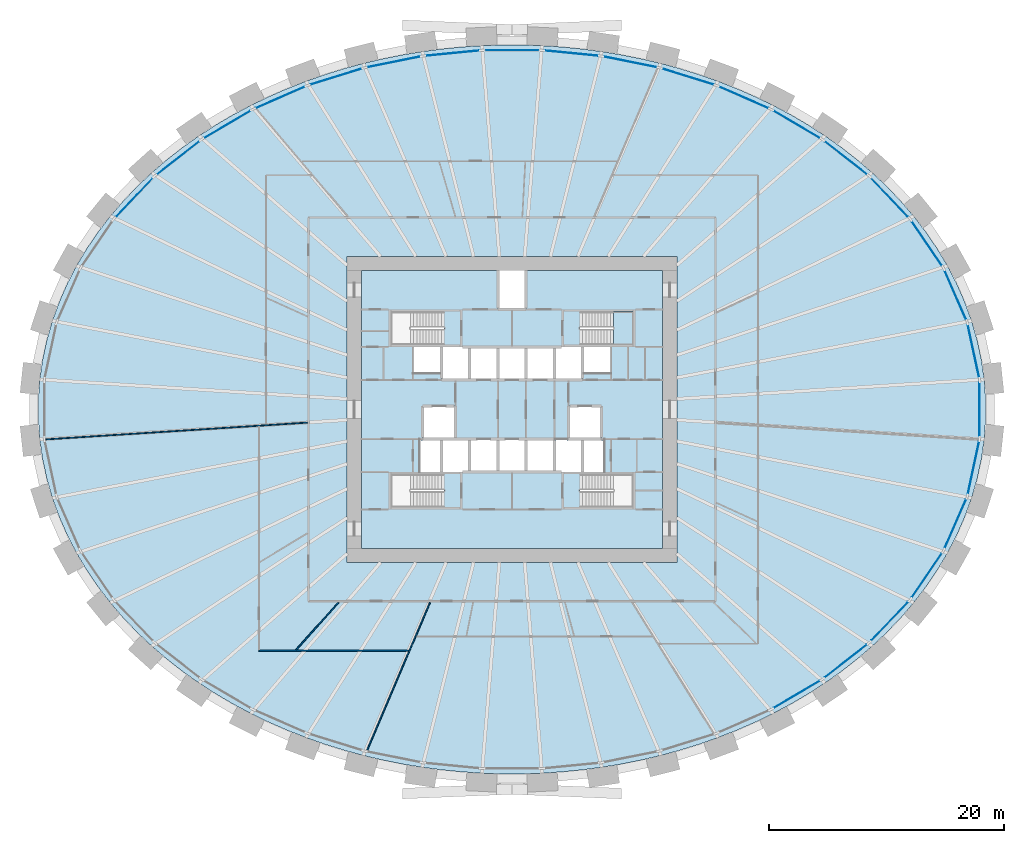
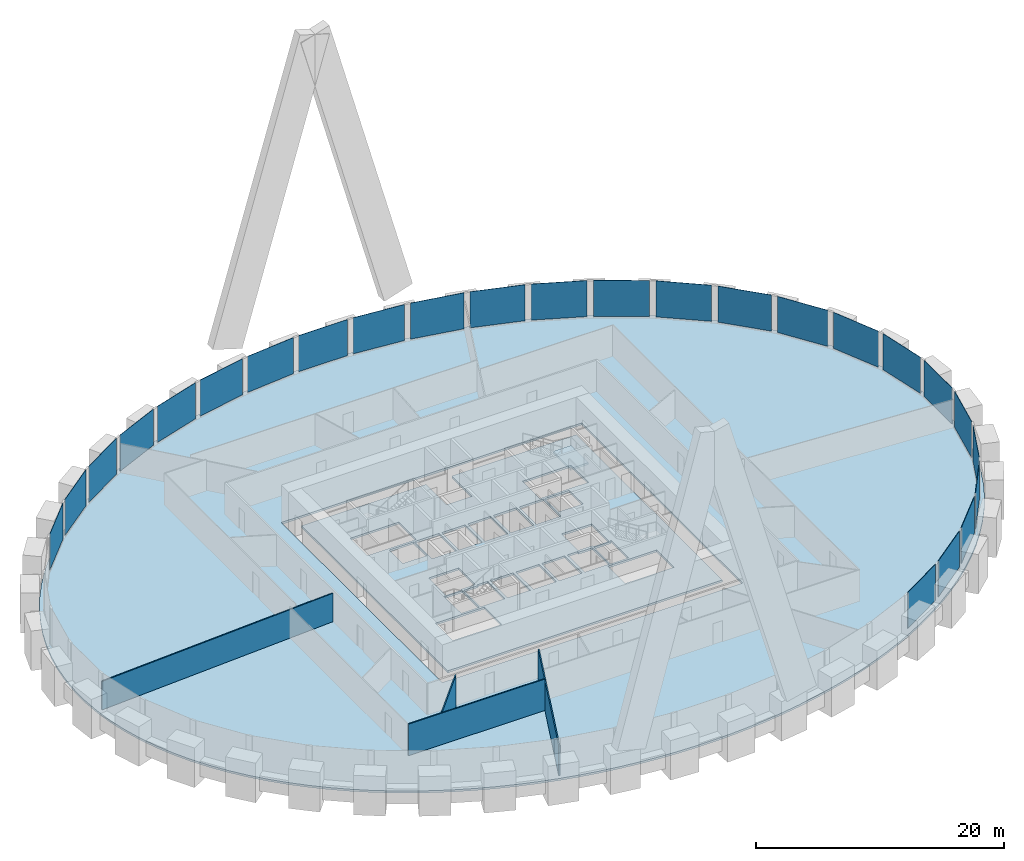
# One storey, part 5 of 10: 25 plates, 4 walls, 3 slabs, 2 elements without a shape of their own.
"""IFC4 building model written with IfcOpenShell, lengths in metres."""

import ifcopenshell
import ifcopenshell.guid

model = None  # the IFC model being written
_history = None  # IfcOwnerHistory: only IFC2X3 demands one
_inside = {}  # id of a spatial element -> (the spatial element, [elements in it])
_under = {}  # id of a project, library or spatial element -> (it, [spatial elements below it])
_declared = {}  # id of a project -> (the project, [libraries it declares])
_typed = {}  # id of a type object -> (the type object, [elements of that type])
_made_of = {}  # id of a material, layer set ... -> (it, [elements and type objects made of it])


def new_model(schema):
    """Start an empty IFC model of exactly this schema.

    Asked for "IFC4X3", IfcOpenShell would pick the latest addendum, in which some entities
    have other attributes; the version numbers below select the first issue.
    IFC2X3 requires an IfcOwnerHistory on every rooted entity: one is made here for all.
    """
    global model, _history
    if schema == "IFC4X3":
        model = ifcopenshell.file(schema_version=(4, 3, 0, 0))
    else:
        model = ifcopenshell.file(schema=schema)
    _inside.clear()
    _under.clear()
    _declared.clear()
    _typed.clear()
    _made_of.clear()
    _history = None
    if model.schema == "IFC2X3":
        org = make("IfcOrganization", Name="unknown")
        user = make(
            "IfcPersonAndOrganization",
            ThePerson=make("IfcPerson", FamilyName="unknown"),
            TheOrganization=org,
        )
        app = make(
            "IfcApplication",
            ApplicationDeveloper=org,
            Version="unknown",
            ApplicationFullName="unknown",
            ApplicationIdentifier="unknown",
        )
        _history = make(
            "IfcOwnerHistory",
            OwningUser=user,
            OwningApplication=app,
            ChangeAction="ADDED",
            CreationDate=0,
        )
    return model


def make(cls, **values):
    """One entity of the class cls with the attributes given. An attribute that is None is left unset."""
    return model.create_entity(
        cls, **{name: value for name, value in values.items() if value is not None}
    )


def rooted(cls, **values):
    """An entity with a GlobalId (a new one), such as an element, a storey or a relation."""
    return make(cls, GlobalId=ifcopenshell.guid.new(), OwnerHistory=_history, **values)


def si_unit(unit_type, name, prefix=None):
    """IfcSIUnit, for example si_unit("LENGTHUNIT", "METRE", prefix="MILLI")."""
    return make("IfcSIUnit", UnitType=unit_type, Prefix=prefix, Name=name)


def assignment(units):
    """IfcUnitAssignment: the units of a project."""
    return None if units is None else make("IfcUnitAssignment", Units=units)


def point(xyz):
    """IfcCartesianPoint."""
    return None if xyz is None else make("IfcCartesianPoint", Coordinates=xyz)


def direction(xyz):
    """IfcDirection."""
    return None if xyz is None else make("IfcDirection", DirectionRatios=xyz)


def frame(location, z_axis=None, x_axis=None):
    """IfcAxis2Placement3D, a coordinate frame: its origin and axes. An axis left out is left unset."""
    return make(
        "IfcAxis2Placement3D",
        Location=point(location),
        Axis=direction(z_axis),
        RefDirection=direction(x_axis),
    )


def frame_2d(location, x_axis=None):
    """IfcAxis2Placement2D, a coordinate frame in the plane: its origin and x axis."""
    return make(
        "IfcAxis2Placement2D", Location=point(location), RefDirection=direction(x_axis)
    )


def origin():
    """The frame at (0, 0, 0) with its axes left unset."""
    return frame((0.0, 0.0, 0.0))


def origin_2d():
    """The frame at (0, 0) in the plane with its x axis left unset."""
    return frame_2d((0.0, 0.0))


def place(relative_to, where):
    """IfcLocalPlacement: puts the frame where relative to a parent placement (None: the world)."""
    return make(
        "IfcLocalPlacement", PlacementRelTo=relative_to, RelativePlacement=where
    )


def context(
    kind, dimensions, precision=None, world=None, true_north=None, identifier=None
):
    """IfcGeometricRepresentationContext, for example the 3D "Model" context."""
    return make(
        "IfcGeometricRepresentationContext",
        ContextIdentifier=identifier,
        ContextType=kind,
        CoordinateSpaceDimension=dimensions,
        Precision=precision,
        WorldCoordinateSystem=world,
        TrueNorth=true_north,
    )


def subcontext(parent, identifier, kind, view, scale=None):
    """IfcGeometricRepresentationSubContext, for example "Body" below "Model"."""
    return make(
        "IfcGeometricRepresentationSubContext",
        ContextIdentifier=identifier,
        ContextType=kind,
        ParentContext=parent,
        TargetScale=scale,
        TargetView=view,
    )


def project(units=None, contexts=None):
    """IfcProject with its units and contexts."""
    return rooted(
        "IfcProject",
        Name="project",
        RepresentationContexts=contexts,
        UnitsInContext=assignment(units),
    )


def spatial(cls, under=None, at=None, **own):
    """A site, building, storey or space (cls), placed at a placement, below another one or the project."""
    s = rooted(cls, ObjectPlacement=at, **own)
    if under is not None:
        _under.setdefault(under.id(), (under, []))[1].append(s)
    return s


def polyline(points):
    """IfcPolyline through the points."""
    return make("IfcPolyline", Points=[point(p) for p in points])


def profile(cls, at=None, kind="AREA", **sizes):
    """A parametric profile (cls). Its sizes go by their IFC names, for example OverallWidth=200.0."""
    return make(cls, ProfileType=kind, Position=at, **sizes)


def rectangle(**sizes):
    """IfcRectangleProfileDef."""
    return profile("IfcRectangleProfileDef", **sizes)


def outline(outer, holes=None, kind="AREA"):
    """IfcArbitraryClosedProfileDef: a profile drawn as a closed curve; with holes, ...WithVoids."""
    if holes is None:
        return make("IfcArbitraryClosedProfileDef", ProfileType=kind, OuterCurve=outer)
    return make(
        "IfcArbitraryProfileDefWithVoids",
        ProfileType=kind,
        OuterCurve=outer,
        InnerCurves=holes,
    )


def extrude(swept, where, along, depth):
    """IfcExtrudedAreaSolid: the profile swept, set in the frame where, extruded along a direction by depth."""
    return make(
        "IfcExtrudedAreaSolid",
        SweptArea=swept,
        Position=where,
        ExtrudedDirection=direction(along),
        Depth=depth,
    )


def shape(context_of_items, identifier, shape_type, items):
    """IfcShapeRepresentation: the items that make up one representation, for example the "Body"."""
    return make(
        "IfcShapeRepresentation",
        ContextOfItems=context_of_items,
        RepresentationIdentifier=identifier,
        RepresentationType=shape_type,
        Items=items,
    )


def source(mapping_origin, context_of_items, identifier, shape_type, items):
    """IfcRepresentationMap: a shape defined once, which mapped items show again and again."""
    return make(
        "IfcRepresentationMap",
        MappingOrigin=mapping_origin,
        MappedRepresentation=shape(context_of_items, identifier, shape_type, items),
    )


def transform(
    local_origin,
    x_axis=None,
    y_axis=None,
    z_axis=None,
    scale=None,
    scale2=None,
    scale3=None,
    uniform=True,
):
    """IfcCartesianTransformationOperator3D, or its non-uniform kind. x_axis, y_axis, z_axis: its Axis1, 2, 3."""
    if uniform:
        return make(
            "IfcCartesianTransformationOperator3D",
            Axis1=direction(x_axis),
            Axis2=direction(y_axis),
            LocalOrigin=point(local_origin),
            Scale=scale,
            Axis3=direction(z_axis),
        )
    return make(
        "IfcCartesianTransformationOperator3DnonUniform",
        Axis1=direction(x_axis),
        Axis2=direction(y_axis),
        LocalOrigin=point(local_origin),
        Scale=scale,
        Axis3=direction(z_axis),
        Scale2=scale2,
        Scale3=scale3,
    )


def mapped(mapping_source, mapping_target):
    """IfcMappedItem: shows the shape of a source again, moved by a transform."""
    return make(
        "IfcMappedItem", MappingSource=mapping_source, MappingTarget=mapping_target
    )


def material(Name=None, Category=None):
    """IfcMaterial."""
    return make("IfcMaterial", Name=Name, Category=Category)


def layer(
    of_material, thickness, ventilated=None, Name=None, Category=None, Priority=None
):
    """IfcMaterialLayer: one layer of a wall or slab, of a material (None: an air gap)."""
    return make(
        "IfcMaterialLayer",
        Material=of_material,
        LayerThickness=thickness,
        IsVentilated=ventilated,
        Name=Name,
        Category=Category,
        Priority=Priority,
    )


def layer_set(layers, Name=None):
    """IfcMaterialLayerSet."""
    return make("IfcMaterialLayerSet", MaterialLayers=layers, LayerSetName=Name)


def made_of(thing, what):
    """Note that an element or type object is made of a material, layer set ...; save() writes the relation."""
    if what is not None:
        _made_of.setdefault(what.id(), (what, []))[1].append(thing)
    return thing


def type_object(cls, material=None, **own):
    """A type object (cls), such as IfcWallType, which elements share."""
    return made_of(rooted(cls, **own), material)


def element(
    cls,
    number,
    at=None,
    inside=None,
    cuts=None,
    type_object=None,
    material=None,
    context=None,
    identifier="Body",
    shape_type=None,
    held_by="IfcProductDefinitionShape",
    body=None,
    shapes=None,
    **own,
):
    """One element of the class cls, such as IfcWall. Its Tag is "e" and its number.

    at: its placement. inside: the storey or other place that contains it. cuts: it is an
    opening in that element (IfcRelVoidsElement). A single representation is given by context,
    identifier, shape_type and body (its items); several are given by shapes. held_by: the class
    of the entity that holds the representations. save() writes the other relations.
    """
    e = rooted(cls, Tag="e%d" % number, ObjectPlacement=at, **own)
    if body is not None:
        shapes = [shape(context, identifier, shape_type, body)]
    if shapes is not None:
        e.Representation = make(held_by, Representations=shapes)
    if inside is not None:
        _inside.setdefault(inside.id(), (inside, []))[1].append(e)
    if cuts is not None:
        rooted(
            "IfcRelVoidsElement", RelatingBuildingElement=cuts, RelatedOpeningElement=e
        )
    if type_object is not None:
        _typed.setdefault(type_object.id(), (type_object, []))[1].append(e)
    return made_of(e, material)


def aggregate(whole, parts):
    """IfcRelAggregates: a whole, such as a stair, and the parts it consists of."""
    return rooted("IfcRelAggregates", RelatingObject=whole, RelatedObjects=parts)


def save(model, path):
    """Write the relations noted so far, then the file.

    IfcRelAggregates (storeys below a building ...), IfcRelContainedInSpatialStructure (elements
    in a storey), IfcRelDefinesByType, IfcRelAssociatesMaterial and IfcRelDeclares: one each for
    every whole, place, type object, material and project.
    """
    for whole, parts in _under.values():
        aggregate(whole, parts)
    for where, things in _inside.values():
        rooted(
            "IfcRelContainedInSpatialStructure",
            RelatedElements=things,
            RelatingStructure=where,
        )
    for kind, things in _typed.values():
        rooted("IfcRelDefinesByType", RelatedObjects=things, RelatingType=kind)
    for what, things in _made_of.values():
        rooted("IfcRelAssociatesMaterial", RelatedObjects=things, RelatingMaterial=what)
    for by, libraries in _declared.values():
        rooted("IfcRelDeclares", RelatingContext=by, RelatedDefinitions=libraries)
    model.write(path)


model = new_model("IFC4")

# Units and contexts
model_context = context("Model", 3, precision=1e-05, world=origin(), true_north=direction((0.0, 1.0)))
body_context = subcontext(model_context, "Body", "Model", "MODEL_VIEW")
ifc_project = project(units=[si_unit("LENGTHUNIT", "METRE"), si_unit("AREAUNIT", "SQUARE_METRE"), si_unit("VOLUMEUNIT", "CUBIC_METRE"), si_unit("PLANEANGLEUNIT", "RADIAN"), si_unit("MASSUNIT", "GRAM", prefix="KILO")], contexts=[model_context])

# Site, building, storey
site_placement = place(None, origin())
site = spatial("IfcSite", under=ifc_project, at=site_placement, CompositionType="ELEMENT")
building_placement = place(site_placement, origin())
building = spatial("IfcBuilding", under=site, at=building_placement, Name="Embergate Tower", CompositionType="ELEMENT")
storey_placement = place(building_placement, frame((0.0, 0.0, 89.300048828125)))
storey = spatial("IfcBuildingStorey", under=building, at=storey_placement, Name="L18", CompositionType="ELEMENT", Elevation=89.300048828125)

# Slab
ifc_material_1 = material(Name="Concrete C40", Category="concrete")
ifc_layer_1 = layer(ifc_material_1, 0.199951171875)
ifc_layer_set_1 = layer_set([ifc_layer_1], Name="Concrete C40")
slab_type_1 = type_object("IfcSlabType", Name="Composite floor slab C40 200", PredefinedType="FLOOR", material=ifc_layer_set_1)
shared_shape_1 = source(origin(), body_context, "Body", "SweptSolid", [
    extrude(outline(polyline([(0.0, 0.0), (1.7021484375, 0.0), (3.404052734375, 0.054931640625), (5.10595703125, 0.166015625), (6.801025390625, 0.3330078125), (8.485107421875, 0.554931640625), (10.171142578125, 0.833984375), (11.841064453125, 1.1689453125), (13.489990234375, 1.558837890625), (15.14306640625, 2.010009765625), (16.76904296875, 2.515869140625), (18.364013671875, 3.076904296875), (19.962158203125, 3.704833984375), (21.52197265625, 4.386962890625), (23.041015625, 5.121826171875), (24.55908203125, 5.931884765625), (26.026123046875, 6.794921875), (27.441162109375, 7.708984375), (28.84619140625, 8.705810546875), (30.18798828125, 9.7529296875), (31.464111328125, 10.848876953125), (32.716064453125, 12.033935546875), (33.89111328125, 13.265869140625), (34.985107421875, 14.541015625), (36.03515625, 15.908935546875), (36.9921875, 17.31591796875), (37.85400390625, 18.759033203125), (38.64404296875, 20.286865234375), (39.3271484375, 21.844970703125), (39.902099609375, 23.428955078125), (40.376953125, 25.074951171875), (40.735107421875, 26.73779296875), (40.97412109375, 28.412841796875), (41.09619140625, 30.11181640625), (41.09619140625, 31.81201171875), (40.97412109375, 33.510986328125), (40.735107421875, 35.18603515625), (40.376953125, 36.848876953125), (39.902099609375, 38.494873046875), (39.3271484375, 40.078857421875), (38.64404296875, 41.636962890625), (37.85400390625, 43.164794921875), (36.9921875, 44.60791015625), (36.03515625, 46.014892578125), (34.985107421875, 47.3828125), (33.89111328125, 48.657958984375), (32.716064453125, 49.889892578125), (31.464111328125, 51.074951171875), (30.18798828125, 52.1708984375), (28.84619140625, 53.218017578125), (27.441162109375, 54.21484375), (26.026123046875, 55.12890625), (24.55908203125, 55.991943359375), (23.041015625, 56.802001953125), (21.52197265625, 57.536865234375), (19.962158203125, 58.218994140625), (18.364013671875, 58.846923828125), (16.76904296875, 59.407958984375), (15.14306640625, 59.913818359375), (13.489990234375, 60.364990234375), (11.841064453125, 60.7548828125), (10.171142578125, 61.08984375), (8.485107421875, 61.368896484375), (6.801025390625, 61.5908203125), (5.10595703125, 61.7578125), (3.404052734375, 61.868896484375), (1.7021484375, 61.923828125), (0.0, 61.923828125), (-1.701904296875, 61.868896484375), (-3.40380859375, 61.7578125), (-5.098876953125, 61.5908203125), (-6.782958984375, 61.368896484375), (-8.468994140625, 61.08984375), (-10.138916015625, 60.7548828125), (-11.787841796875, 60.364990234375), (-13.44091796875, 59.913818359375), (-15.06689453125, 59.407958984375), (-16.661865234375, 58.846923828125), (-18.260009765625, 58.218994140625), (-19.81982421875, 57.536865234375), (-21.3388671875, 56.802001953125), (-22.85693359375, 55.991943359375), (-24.323974609375, 55.12890625), (-25.739013671875, 54.21484375), (-27.14404296875, 53.218017578125), (-28.48583984375, 52.1708984375), (-29.761962890625, 51.074951171875), (-31.013916015625, 49.889892578125), (-32.18896484375, 48.657958984375), (-33.282958984375, 47.3828125), (-34.3330078125, 46.014892578125), (-35.2900390625, 44.60791015625), (-36.15185546875, 43.164794921875), (-36.94189453125, 41.636962890625), (-37.625, 40.078857421875), (-38.199951171875, 38.494873046875), (-38.6748046875, 36.848876953125), (-39.032958984375, 35.18603515625), (-39.27197265625, 33.510986328125), (-39.39404296875, 31.81201171875), (-39.39404296875, 30.11181640625), (-39.27197265625, 28.412841796875), (-39.032958984375, 26.73779296875), (-38.6748046875, 25.074951171875), (-38.199951171875, 23.428955078125), (-37.625, 21.844970703125), (-36.94189453125, 20.286865234375), (-36.15185546875, 18.759033203125), (-35.2900390625, 17.31591796875), (-34.3330078125, 15.908935546875), (-33.282958984375, 14.541015625), (-32.18896484375, 13.265869140625), (-31.013916015625, 12.033935546875), (-29.761962890625, 10.848876953125), (-28.48583984375, 9.7529296875), (-27.14404296875, 8.705810546875), (-25.739013671875, 7.708984375), (-24.323974609375, 6.794921875), (-22.85693359375, 5.931884765625), (-21.3388671875, 5.121826171875), (-19.81982421875, 4.386962890625), (-18.260009765625, 3.704833984375), (-16.661865234375, 3.076904296875), (-15.06689453125, 2.515869140625), (-13.44091796875, 2.010009765625), (-11.787841796875, 1.558837890625), (-10.138916015625, 1.1689453125), (-8.468994140625, 0.833984375), (-6.782958984375, 0.554931640625), (-5.098876953125, 0.3330078125), (-3.40380859375, 0.166015625), (-1.701904296875, 0.054931640625), (0.0, 0.0)]), holes=[polyline([(-13.14892578125, 17.9619140625), (-13.14892578125, 43.9619140625), (14.85107421875, 43.9619140625), (14.85107421875, 17.9619140625), (-13.14892578125, 17.9619140625)])]), origin(), (0.0, 0.0, 1.0), 0.199951171875),
])
slab_1_placement = place(storey_placement, frame((-0.85107421875, -30.9619140625, -0.199951171875)))
element("IfcSlab", 1, at=slab_1_placement, inside=storey, type_object=slab_type_1, Name="SLB-L18-00", PredefinedType="FLOOR", context=body_context, shape_type="MappedRepresentation", body=[
    mapped(shared_shape_1, transform((0.0, 0.0, 0.0))),
])

# Curtain wall, plates
ifc_material_2 = material(Name="Aluminium and glass", Category="aluminium")
curtain_wall_type = type_object("IfcCurtainWallType", Name="Recessed office glazing", PredefinedType="NOTDEFINED", material=ifc_material_2)
curtain_wall_placement = place(storey_placement, origin())
curtain_wall = element("IfcCurtainWall", 2, at=curtain_wall_placement, inside=storey, type_object=curtain_wall_type, Name="Recessed office glazing ring", ObjectType="RECESSED OFFICE GLAZING", PredefinedType="USERDEFINED")
ifc_material_3 = material(Name="Triple glazing, low-emissivity coating", Category="glass")
ifc_layer_2 = layer(ifc_material_3, 0.035888671875)
ifc_layer_set_2 = layer_set([ifc_layer_2], Name="Triple glazing, low-emissivity coating")
plate_type = type_object("IfcPlateType", Name="Office glazing unit", PredefinedType="CURTAIN_PANEL", material=ifc_layer_set_2)
shared_shape_2 = source(origin(), body_context, "Body", "SweptSolid", [
    extrude(rectangle(XDim=4.529296875, YDim=0.035888671875, at=origin_2d()), origin(), (0.0, 0.0, 1.0), 3.550048828125),
])
plate_1_placement = place(storey_placement, frame((28.36181640625, 21.376953125, 0.14990234375), z_axis=(0.0, 0.0, 1.0), x_axis=(-0.788321193094, 0.615263924279, 0.0)))
plate_1 = element("IfcPlate", 3, at=plate_1_placement, type_object=plate_type, Name="CW panel 5.1", PredefinedType="CURTAIN_PANEL", context=body_context, shape_type="MappedRepresentation", body=[
    mapped(shared_shape_2, transform((0.0, 0.0, 0.0))),
])
plate_2_placement = place(storey_placement, frame((-28.36181640625, 21.376953125, 0.14990234375), z_axis=(0.0, 0.0, 1.0), x_axis=(-0.788321193094, -0.615263924279, 0.0)))
plate_2 = element("IfcPlate", 4, at=plate_2_placement, type_object=plate_type, Name="CW panel 17.1", PredefinedType="CURTAIN_PANEL", context=body_context, shape_type="MappedRepresentation", body=[
    mapped(shared_shape_2, transform((0.0, 0.0, 0.0))),
])
plate_3_placement = place(storey_placement, frame((28.36181640625, -21.376953125, 0.14990234375), z_axis=(0.0, 0.0, 1.0), x_axis=(0.788321193094, 0.615263924279, 0.0)))
plate_3 = element("IfcPlate", 5, at=plate_3_placement, type_object=plate_type, Name="CW panel 39.1", PredefinedType="CURTAIN_PANEL", context=body_context, shape_type="MappedRepresentation", body=[
    mapped(shared_shape_2, transform((0.0, 0.0, 0.0))),
])
shared_shape_3 = source(origin(), body_context, "Body", "SweptSolid", [
    extrude(rectangle(XDim=4.4970703125, YDim=0.035888671875, at=origin_2d()), origin(), (0.0, 0.0, 1.0), 3.550048828125),
])
plate_4_placement = place(storey_placement, frame((39.2080078125, 4.959716796875, 0.14990234375), z_axis=(0.0, 0.0, 1.0), x_axis=(-0.210398391177, 0.97761573074, 0.0)))
plate_4 = element("IfcPlate", 6, at=plate_4_placement, type_object=plate_type, Name="CW panel 1.1", PredefinedType="CURTAIN_PANEL", context=body_context, shape_type="MappedRepresentation", body=[
    mapped(shared_shape_3, transform((0.0, 0.0, 0.0))),
])
plate_5_placement = place(storey_placement, frame((39.2080078125, -4.959716796875, 0.14990234375), z_axis=(0.0, 0.0, 1.0), x_axis=(0.210398391177, 0.97761573074, 0.0)))
plate_5 = element("IfcPlate", 7, at=plate_5_placement, type_object=plate_type, Name="CW panel 43.1", PredefinedType="CURTAIN_PANEL", context=body_context, shape_type="MappedRepresentation", body=[
    mapped(shared_shape_3, transform((0.0, 0.0, 0.0))),
])
shared_shape_4 = source(origin(), body_context, "Body", "SweptSolid", [
    extrude(rectangle(XDim=4.504150390625, YDim=0.035888671875, at=origin_2d()), origin(), (0.0, 0.0, 1.0), 3.550048828125),
])
plate_6_placement = place(storey_placement, frame((37.671142578125, 9.71240234375, 0.14990234375), z_axis=(0.0, 0.0, 1.0), x_axis=(-0.401652101157, 0.91579232888, 0.0)))
plate_6 = element("IfcPlate", 8, at=plate_6_placement, type_object=plate_type, Name="CW panel 2.1", PredefinedType="CURTAIN_PANEL", context=body_context, shape_type="MappedRepresentation", body=[
    mapped(shared_shape_4, transform((0.0, 0.0, 0.0))),
])
plate_7_placement = place(storey_placement, frame((37.671142578125, -9.71240234375, 0.14990234375), z_axis=(0.0, 0.0, 1.0), x_axis=(0.401652101157, 0.91579232888, 0.0)))
plate_7 = element("IfcPlate", 9, at=plate_7_placement, type_object=plate_type, Name="CW panel 42.1", PredefinedType="CURTAIN_PANEL", context=body_context, shape_type="MappedRepresentation", body=[
    mapped(shared_shape_4, transform((0.0, 0.0, 0.0))),
])
shared_shape_5 = source(origin(), body_context, "Body", "SweptSolid", [
    extrude(rectangle(XDim=4.51318359375, YDim=0.035888671875, at=origin_2d()), origin(), (0.0, 0.0, 1.0), 3.550048828125),
])
plate_8_placement = place(storey_placement, frame((35.246826171875, 14.093994140625, 0.14990234375), z_axis=(0.0, 0.0, 1.0), x_axis=(-0.562343185136, 0.826903949762, 0.0)))
plate_8 = element("IfcPlate", 10, at=plate_8_placement, type_object=plate_type, Name="CW panel 3.1", PredefinedType="CURTAIN_PANEL", context=body_context, shape_type="MappedRepresentation", body=[
    mapped(shared_shape_5, transform((0.0, 0.0, 0.0))),
])
plate_9_placement = place(storey_placement, frame((35.246826171875, -14.093994140625, 0.14990234375), z_axis=(0.0, 0.0, 1.0), x_axis=(0.562343185136, 0.826903949762, 0.0)))
plate_9 = element("IfcPlate", 11, at=plate_9_placement, type_object=plate_type, Name="CW panel 41.1", PredefinedType="CURTAIN_PANEL", context=body_context, shape_type="MappedRepresentation", body=[
    mapped(shared_shape_5, transform((0.0, 0.0, 0.0))),
])
shared_shape_6 = source(origin(), body_context, "Body", "SweptSolid", [
    extrude(rectangle(XDim=4.52197265625, YDim=0.035888671875, at=origin_2d()), origin(), (0.0, 0.0, 1.0), 3.550048828125),
])
plate_10_placement = place(storey_placement, frame((32.092041015625, 17.999267578125, 0.14990234375), z_axis=(0.0, 0.0, 1.0), x_axis=(-0.690135047526, 0.723680603703, 0.0)))
plate_10 = element("IfcPlate", 12, at=plate_10_placement, type_object=plate_type, Name="CW panel 4.1", PredefinedType="CURTAIN_PANEL", context=body_context, shape_type="MappedRepresentation", body=[
    mapped(shared_shape_6, transform((0.0, 0.0, 0.0))),
])
plate_11_placement = place(storey_placement, frame((-32.092041015625, 17.999267578125, 0.14990234375), z_axis=(0.0, 0.0, 1.0), x_axis=(-0.690135047526, -0.723680603703, 0.0)))
plate_11 = element("IfcPlate", 13, at=plate_11_placement, type_object=plate_type, Name="CW panel 18.1", PredefinedType="CURTAIN_PANEL", context=body_context, shape_type="MappedRepresentation", body=[
    mapped(shared_shape_6, transform((0.0, 0.0, 0.0))),
])
plate_12_placement = place(storey_placement, frame((32.092041015625, -17.999267578125, 0.14990234375), z_axis=(0.0, 0.0, 1.0), x_axis=(0.690135047526, 0.723680603703, 0.0)))
plate_12 = element("IfcPlate", 14, at=plate_12_placement, type_object=plate_type, Name="CW panel 40.1", PredefinedType="CURTAIN_PANEL", context=body_context, shape_type="MappedRepresentation", body=[
    mapped(shared_shape_6, transform((0.0, 0.0, 0.0))),
])
shared_shape_7 = source(origin(), body_context, "Body", "SweptSolid", [
    extrude(rectangle(XDim=4.535400390625, YDim=0.035888671875, at=origin_2d()), origin(), (0.0, 0.0, 1.0), 3.550048828125),
])
plate_13_placement = place(storey_placement, frame((24.192626953125, 24.21142578125, 0.14990234375), z_axis=(0.0, 0.0, 1.0), x_axis=(-0.862053167811, 0.50681785275, 0.0)))
plate_13 = element("IfcPlate", 15, at=plate_13_placement, type_object=plate_type, Name="CW panel 6.1", PredefinedType="CURTAIN_PANEL", context=body_context, shape_type="MappedRepresentation", body=[
    mapped(shared_shape_7, transform((0.0, 0.0, 0.0))),
])
plate_14_placement = place(storey_placement, frame((-24.192626953125, 24.21142578125, 0.14990234375), z_axis=(0.0, 0.0, 1.0), x_axis=(-0.862053167811, -0.50681785275, 0.0)))
plate_14 = element("IfcPlate", 16, at=plate_14_placement, type_object=plate_type, Name="CW panel 16.1", PredefinedType="CURTAIN_PANEL", context=body_context, shape_type="MappedRepresentation", body=[
    mapped(shared_shape_7, transform((0.0, 0.0, 0.0))),
])
plate_15_placement = place(storey_placement, frame((24.192626953125, -24.21142578125, 0.14990234375), z_axis=(0.0, 0.0, 1.0), x_axis=(0.862053167811, 0.50681785275, 0.0)))
plate_15 = element("IfcPlate", 17, at=plate_15_placement, type_object=plate_type, Name="CW panel 38.1", PredefinedType="CURTAIN_PANEL", context=body_context, shape_type="MappedRepresentation", body=[
    mapped(shared_shape_7, transform((0.0, 0.0, 0.0))),
])
shared_shape_8 = source(origin(), body_context, "Body", "SweptSolid", [
    extrude(rectangle(XDim=4.5400390625, YDim=0.035888671875, at=origin_2d()), origin(), (0.0, 0.0, 1.0), 3.550048828125),
])
plate_16_placement = place(storey_placement, frame((19.6953125, 26.506103515625, 0.14990234375), z_axis=(0.0, 0.0, 1.0), x_axis=(-0.916236211741, 0.400638495772, 0.0)))
plate_16 = element("IfcPlate", 18, at=plate_16_placement, type_object=plate_type, Name="CW panel 7.1", PredefinedType="CURTAIN_PANEL", context=body_context, shape_type="MappedRepresentation", body=[
    mapped(shared_shape_8, transform((0.0, 0.0, 0.0))),
])
plate_17_placement = place(storey_placement, frame((-19.6953125, 26.506103515625, 0.14990234375), z_axis=(0.0, 0.0, 1.0), x_axis=(-0.916236211741, -0.400638495772, 0.0)))
plate_17 = element("IfcPlate", 19, at=plate_17_placement, type_object=plate_type, Name="CW panel 15.1", PredefinedType="CURTAIN_PANEL", context=body_context, shape_type="MappedRepresentation", body=[
    mapped(shared_shape_8, transform((0.0, 0.0, 0.0))),
])
shared_shape_9 = source(origin(), body_context, "Body", "SweptSolid", [
    extrude(rectangle(XDim=4.54345703125, YDim=0.035888671875, at=origin_2d()), origin(), (0.0, 0.0, 1.0), 3.550048828125),
])
plate_18_placement = place(storey_placement, frame((14.960205078125, 28.272705078125, 0.14990234375), z_axis=(0.0, 0.0, 1.0), x_axis=(-0.954772217174, 0.297338213676, 0.0)))
plate_18 = element("IfcPlate", 20, at=plate_18_placement, type_object=plate_type, Name="CW panel 8.1", PredefinedType="CURTAIN_PANEL", context=body_context, shape_type="MappedRepresentation", body=[
    mapped(shared_shape_9, transform((0.0, 0.0, 0.0))),
])
plate_19_placement = place(storey_placement, frame((-14.960205078125, 28.272705078125, 0.14990234375), z_axis=(0.0, 0.0, 1.0), x_axis=(-0.954772217174, -0.297338213676, 0.0)))
plate_19 = element("IfcPlate", 21, at=plate_19_placement, type_object=plate_type, Name="CW panel 14.1", PredefinedType="CURTAIN_PANEL", context=body_context, shape_type="MappedRepresentation", body=[
    mapped(shared_shape_9, transform((0.0, 0.0, 0.0))),
])
shared_shape_10 = source(origin(), body_context, "Body", "SweptSolid", [
    extrude(rectangle(XDim=4.545654296875, YDim=0.035888671875, at=origin_2d()), origin(), (0.0, 0.0, 1.0), 3.550048828125),
])
plate_20_placement = place(storey_placement, frame((10.0595703125, 29.5234375, 0.14990234375), z_axis=(0.0, 0.0, 1.0), x_axis=(-0.980475907409, 0.196639250889, 0.0)))
plate_20 = element("IfcPlate", 22, at=plate_20_placement, type_object=plate_type, Name="CW panel 9.1", PredefinedType="CURTAIN_PANEL", context=body_context, shape_type="MappedRepresentation", body=[
    mapped(shared_shape_10, transform((0.0, 0.0, 0.0))),
])
plate_21_placement = place(storey_placement, frame((-10.0595703125, 29.5234375, 0.14990234375), z_axis=(0.0, 0.0, 1.0), x_axis=(-0.980475907409, -0.196639250889, 0.0)))
plate_21 = element("IfcPlate", 23, at=plate_21_placement, type_object=plate_type, Name="CW panel 13.1", PredefinedType="CURTAIN_PANEL", context=body_context, shape_type="MappedRepresentation", body=[
    mapped(shared_shape_10, transform((0.0, 0.0, 0.0))),
])
shared_shape_11 = source(origin(), body_context, "Body", "SweptSolid", [
    extrude(rectangle(XDim=4.546875, YDim=0.035888671875, at=origin_2d()), origin(), (0.0, 0.0, 1.0), 3.550048828125),
])
plate_22_placement = place(storey_placement, frame((5.054931640625, 30.269287109375, 0.14990234375), z_axis=(0.0, 0.0, 1.0), x_axis=(-0.995203184788, 0.097829550688, 0.0)))
plate_22 = element("IfcPlate", 24, at=plate_22_placement, type_object=plate_type, Name="CW panel 10.1", PredefinedType="CURTAIN_PANEL", context=body_context, shape_type="MappedRepresentation", body=[
    mapped(shared_shape_11, transform((0.0, 0.0, 0.0))),
])
plate_23_placement = place(storey_placement, frame((-5.054931640625, 30.269287109375, 0.14990234375), z_axis=(0.0, 0.0, 1.0), x_axis=(-0.995203184788, -0.097829550688, 0.0)))
plate_23 = element("IfcPlate", 25, at=plate_23_placement, type_object=plate_type, Name="CW panel 12.1", PredefinedType="CURTAIN_PANEL", context=body_context, shape_type="MappedRepresentation", body=[
    mapped(shared_shape_11, transform((0.0, 0.0, 0.0))),
])
shared_shape_12 = source(origin(), body_context, "Body", "SweptSolid", [
    extrude(rectangle(XDim=4.54736328125, YDim=0.035888671875, at=origin_2d()), origin(), (0.0, 0.0, 1.0), 3.550048828125),
])
plate_24_placement = place(storey_placement, frame((0.0, 30.51708984375, 0.14990234375), z_axis=(0.0, 0.0, 1.0), x_axis=(-1.0, 0.0, 0.0)))
plate_24 = element("IfcPlate", 26, at=plate_24_placement, type_object=plate_type, Name="CW panel 11.1", PredefinedType="CURTAIN_PANEL", context=body_context, shape_type="MappedRepresentation", body=[
    mapped(shared_shape_12, transform((0.0, 0.0, 0.0))),
])
shared_shape_13 = source(origin(), body_context, "Body", "SweptSolid", [
    extrude(rectangle(XDim=4.494384765625, YDim=0.035888671875, at=origin_2d()), origin(), (0.0, 0.0, 1.0), 3.550048828125),
])
plate_25_placement = place(storey_placement, frame((39.735595703125, 0.0, 0.14990234375), z_axis=(0.0, 0.0, 1.0), x_axis=(0.0, 1.0, 0.0)))
plate_25 = element("IfcPlate", 27, at=plate_25_placement, type_object=plate_type, Name="CW panel 44.1", PredefinedType="CURTAIN_PANEL", context=body_context, shape_type="MappedRepresentation", body=[
    mapped(shared_shape_13, transform((0.0, 0.0, 0.0))),
])
aggregate(curtain_wall, [plate_4, plate_6, plate_8, plate_10, plate_1, plate_13, plate_16, plate_18, plate_20, plate_22, plate_24, plate_23, plate_21, plate_19, plate_17, plate_14, plate_2, plate_11, plate_15, plate_3, plate_12, plate_9, plate_7, plate_5, plate_25])

# Stair, slab
ifc_material_4 = material(Name="Exit stair")
stair_type = type_object("IfcStairType", Name="Exit stair", PredefinedType="HALF_TURN_STAIR", material=ifc_material_4)
stair_placement = place(storey_placement, origin())
stair = element("IfcStair", 28, at=stair_placement, inside=storey, type_object=stair_type, Name="L18 Exit stair 2", PredefinedType="HALF_TURN_STAIR")
ifc_layer_3 = layer(ifc_material_1, 0.199951171875)
ifc_layer_set_3 = layer_set([ifc_layer_3], Name="Concrete C40")
slab_type_2 = type_object("IfcSlabType", Name="Stair landing reinforced concrete", PredefinedType="LANDING", material=ifc_layer_set_3)
shared_shape_14 = source(origin(), body_context, "Body", "SweptSolid", [
    extrude(outline(polyline([(0.0, 0.0), (1.68994140625, 0.0), (1.68994140625, 2.800048828125), (0.0, 2.800048828125), (0.0, 0.0)])), origin(), (0.0, 0.0, 1.0), 0.199951171875),
])
slab_2_placement = place(storey_placement, frame((8.610107421875, 5.5, 1.75)))
slab_2 = element("IfcSlab", 29, at=slab_2_placement, type_object=slab_type_2, Name="ST2 landing 1", PredefinedType="LANDING", context=body_context, shape_type="MappedRepresentation", body=[
    mapped(shared_shape_14, transform((0.0, 0.0, 0.0))),
])
aggregate(stair, [slab_2])

# Slab
ifc_layer_4 = layer(ifc_material_1, 0.199951171875)
ifc_layer_set_4 = layer_set([ifc_layer_4], Name="Concrete C40")
slab_type_3 = type_object("IfcSlabType", Name="Core floor slab 200 reinforced concrete", PredefinedType="FLOOR", material=ifc_layer_set_4)
shared_shape_15 = source(origin(), body_context, "Body", "SweptSolid", [
    extrude(outline(polyline([(0.0, 0.0), (25.60009765625, 0.0), (25.60009765625, 23.60009765625), (14.0, 23.60009765625), (14.0, 20.300048828125), (11.60009765625, 20.300048828125), (11.60009765625, 23.60009765625), (0.0, 23.60009765625), (0.0, 0.0)]), holes=[polyline([(2.5, 3.5), (2.5, 6.300048828125), (7.0400390625, 6.300048828125), (7.0400390625, 3.5), (2.5, 3.5)]), polyline([(18.56005859375, 3.5), (18.56005859375, 6.300048828125), (23.10009765625, 6.300048828125), (23.10009765625, 3.5), (18.56005859375, 3.5)]), polyline([(5.0, 6.5), (5.0, 9.300048828125), (5.074951171875, 9.300048828125), (5.074951171875, 9.175048828125), (6.675048828125, 9.175048828125), (6.675048828125, 6.5), (5.0, 6.5)]), polyline([(6.800048828125, 6.5), (6.800048828125, 9.175048828125), (8.125, 9.175048828125), (8.125, 9.300048828125), (9.074951171875, 9.300048828125), (9.074951171875, 6.5), (6.800048828125, 6.5)]), polyline([(9.324951171875, 6.5), (9.324951171875, 9.300048828125), (11.47509765625, 9.300048828125), (11.47509765625, 6.5), (9.324951171875, 6.5)]), polyline([(11.72509765625, 6.5), (11.72509765625, 9.300048828125), (13.875, 9.300048828125), (13.875, 6.5), (11.72509765625, 6.5)]), polyline([(14.125, 6.5), (14.125, 9.300048828125), (16.275146484375, 9.300048828125), (16.275146484375, 6.5), (14.125, 6.5)]), polyline([(16.525146484375, 6.5), (16.525146484375, 9.300048828125), (17.47509765625, 9.300048828125), (17.47509765625, 9.175048828125), (18.800048828125, 9.175048828125), (18.800048828125, 6.5), (16.525146484375, 6.5)]), polyline([(18.925048828125, 6.5), (18.925048828125, 9.175048828125), (20.525146484375, 9.175048828125), (20.525146484375, 9.300048828125), (20.60009765625, 9.300048828125), (20.60009765625, 6.5), (18.925048828125, 6.5)]), polyline([(5.199951171875, 9.300048828125), (5.199951171875, 12.10009765625), (8.0, 12.10009765625), (8.0, 9.425048828125), (6.675048828125, 9.425048828125), (6.675048828125, 9.300048828125), (5.199951171875, 9.300048828125)]), polyline([(18.925048828125, 9.300048828125), (18.925048828125, 9.425048828125), (17.60009765625, 9.425048828125), (17.60009765625, 12.10009765625), (20.400146484375, 12.10009765625), (20.400146484375, 9.300048828125), (18.925048828125, 9.300048828125)]), polyline([(6.800048828125, 14.300048828125), (6.800048828125, 17.10009765625), (9.074951171875, 17.10009765625), (9.074951171875, 14.300048828125), (6.800048828125, 14.300048828125)]), polyline([(9.324951171875, 14.300048828125), (9.324951171875, 17.10009765625), (11.47509765625, 17.10009765625), (11.47509765625, 14.300048828125), (9.324951171875, 14.300048828125)]), polyline([(11.72509765625, 14.300048828125), (11.72509765625, 17.10009765625), (13.875, 17.10009765625), (13.875, 14.300048828125), (11.72509765625, 14.300048828125)]), polyline([(14.125, 14.300048828125), (14.125, 17.10009765625), (16.275146484375, 17.10009765625), (16.275146484375, 14.300048828125), (14.125, 14.300048828125)]), polyline([(16.525146484375, 14.300048828125), (16.525146484375, 17.10009765625), (18.800048828125, 17.10009765625), (18.800048828125, 14.300048828125), (16.525146484375, 14.300048828125)]), polyline([(4.400146484375, 14.900146484375), (4.400146484375, 17.10009765625), (6.675048828125, 17.10009765625), (6.675048828125, 14.900146484375), (4.400146484375, 14.900146484375)]), polyline([(18.925048828125, 14.900146484375), (18.925048828125, 17.10009765625), (21.199951171875, 17.10009765625), (21.199951171875, 14.900146484375), (18.925048828125, 14.900146484375)]), polyline([(2.5, 17.300048828125), (2.5, 20.10009765625), (7.0400390625, 20.10009765625), (7.0400390625, 17.300048828125), (2.5, 17.300048828125)]), polyline([(18.56005859375, 17.300048828125), (18.56005859375, 20.10009765625), (23.10009765625, 20.10009765625), (23.10009765625, 17.300048828125), (18.56005859375, 17.300048828125)])]), origin(), (0.0, 0.0, 1.0), 0.199951171875),
])
slab_3_placement = place(storey_placement, frame((-12.800048828125, -11.800048828125, -0.199951171875)))
element("IfcSlab", 30, at=slab_3_placement, inside=storey, type_object=slab_type_3, Name="Core floor slab", PredefinedType="FLOOR", context=body_context, shape_type="MappedRepresentation", body=[
    mapped(shared_shape_15, transform((0.0, 0.0, 0.0))),
])

# Walls
ifc_material_5 = material(Name="Partition dry-lined 100")
ifc_layer_5 = layer(ifc_material_5, 0.10009765625)
ifc_layer_set_5 = layer_set([ifc_layer_5], Name="Partition dry-lined 100")
wall_type_1 = type_object("IfcWallType", Name="Partition dry-lined 100", PredefinedType="PARTITIONING", material=ifc_layer_set_5)
shared_shape_16 = source(origin(), body_context, "Body", "SweptSolid", [
    extrude(rectangle(XDim=22.39013671875, YDim=0.10009765625, at=frame_2d((11.195068359375, 0.0))), origin(), (0.0, 0.0, 1.0), 2.800048828125),
])
wall_1_placement = place(storey_placement, frame((-39.718994140625, -2.555908203125, 0.0), z_axis=(0.0, 0.0, 1.0), x_axis=(0.997935511043, 0.064223950351, 0.0)))
element("IfcWall", 31, at=wall_1_placement, inside=storey, type_object=wall_type_1, Name="IP-1 wall", PredefinedType="PARTITIONING", context=body_context, shape_type="MappedRepresentation", body=[
    mapped(shared_shape_16, transform((0.0, 0.0, 0.0))),
])
ifc_material_6 = material(Name="Partition dry-lined 100 wet")
ifc_layer_6 = layer(ifc_material_6, 0.10009765625)
ifc_layer_set_6 = layer_set([ifc_layer_6], Name="Partition dry-lined 100 wet")
wall_type_2 = type_object("IfcWallType", Name="Partition dry-lined 100 wet", PredefinedType="PLUMBINGWALL", material=ifc_layer_set_6)
shared_shape_17 = source(origin(), body_context, "Body", "SweptSolid", [
    extrude(rectangle(XDim=13.76171875, YDim=0.10009765625, at=frame_2d((6.880859375, 0.0))), origin(), (0.0, 0.0, 1.0), 2.89990234375),
])
wall_2_placement = place(storey_placement, frame((-6.97607421875, -16.39501953125, 0.0), z_axis=(0.0, 0.0, 1.0), x_axis=(-0.391517771794, -0.92017054635, 0.0)))
element("IfcWall", 32, at=wall_2_placement, inside=storey, type_object=wall_type_2, Name="IP-1 wall", PredefinedType="PLUMBINGWALL", context=body_context, shape_type="MappedRepresentation", body=[
    mapped(shared_shape_17, transform((0.0, 0.0, 0.0))),
])
shared_shape_18 = source(origin(), body_context, "Body", "SweptSolid", [
    extrude(rectangle(XDim=5.38818359375, YDim=0.10009765625, at=frame_2d((2.694091796875, 0.0))), origin(), (0.0, 0.0, 1.0), 3.099853515625),
])
wall_3_placement = place(storey_placement, frame((-14.738037109375, -16.407958984375, 0.0), z_axis=(0.0, 0.0, 1.0), x_axis=(-0.668115646825, -0.744057445677, 0.0)))
element("IfcWall", 33, at=wall_3_placement, inside=storey, type_object=wall_type_1, Name="IP-1 wall", PredefinedType="PARTITIONING", context=body_context, shape_type="MappedRepresentation", body=[
    mapped(shared_shape_18, transform((0.0, 0.0, 0.0))),
])
shared_shape_19 = source(origin(), body_context, "Body", "SweptSolid", [
    extrude(rectangle(XDim=12.701904296875, YDim=0.10009765625, at=frame_2d((6.35107421875, 0.0))), origin(), (0.0, 0.0, 1.0), 3.099853515625),
])
wall_4_placement = place(storey_placement, frame((-8.798095703125, -20.5, 0.0), z_axis=(0.0, 0.0, 1.0), x_axis=(-1.0, 0.0, 0.0)))
element("IfcWall", 34, at=wall_4_placement, inside=storey, type_object=wall_type_1, Name="IP-1 wall", PredefinedType="PARTITIONING", context=body_context, shape_type="MappedRepresentation", body=[
    mapped(shared_shape_19, transform((0.0, 0.0, 0.0))),
])

save(model, "model.ifc")
